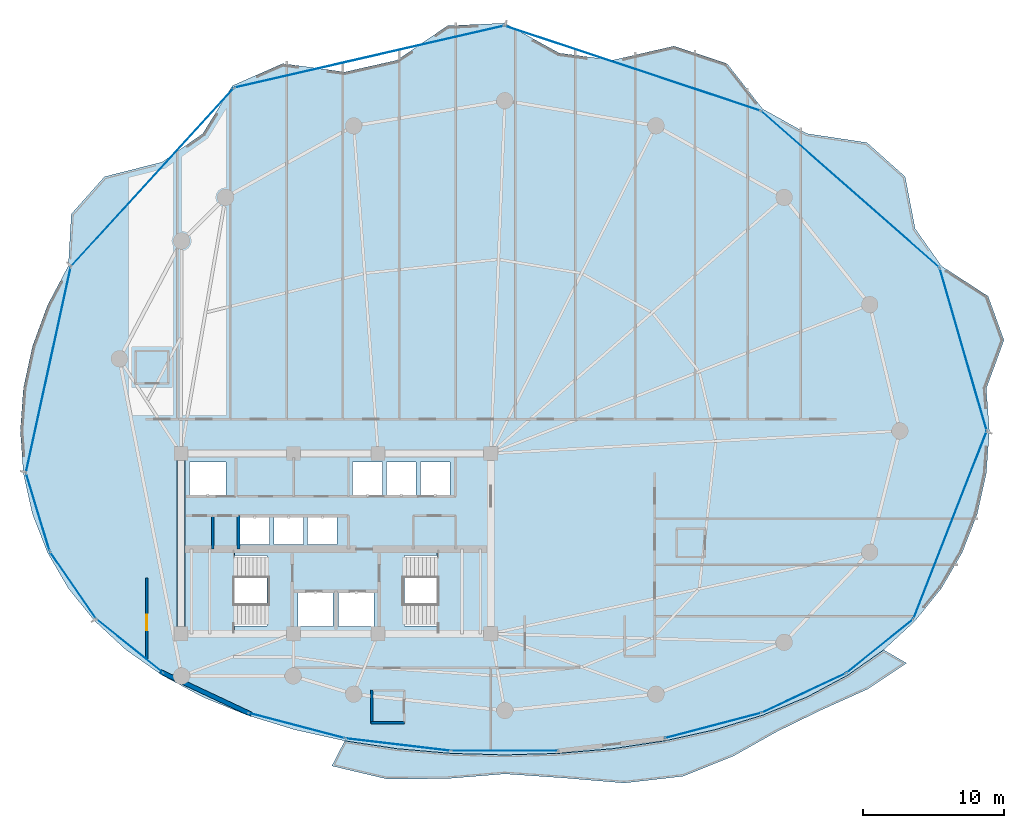
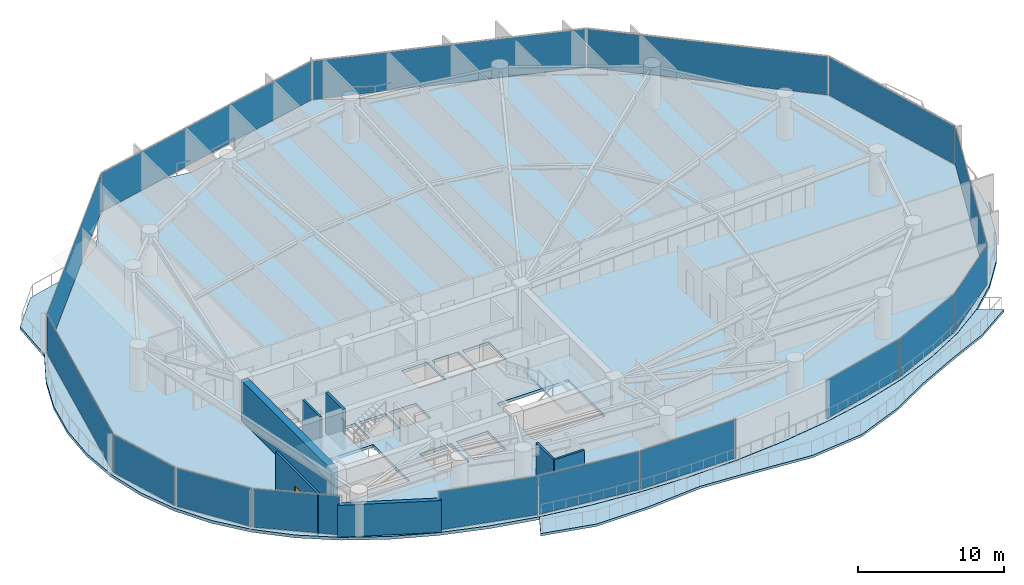
# One storey, part 25 of 34: 16 plates, 7 walls, 4 slabs, 1 door, 1 opening, 18 elements without a shape of their own.
"""IFC4 building model written with IfcOpenShell, lengths in metres."""

from ifc_helpers import new_model, si_unit, direction, frame, frame_2d, origin, origin_2d, place, context, subcontext, project, spatial, polyline, rectangle, outline, extrude, material, layer, layer_set, type_object, element, fill, aggregate, save


model = new_model("IFC4")

# Units and contexts
model_context = context("Model", 3, precision=1e-05, world=origin(), true_north=direction((0.0, 1.0)))
body_context = subcontext(model_context, "Body", "Model", "MODEL_VIEW")
ifc_project = project(units=[si_unit("LENGTHUNIT", "METRE"), si_unit("AREAUNIT", "SQUARE_METRE"), si_unit("VOLUMEUNIT", "CUBIC_METRE"), si_unit("PLANEANGLEUNIT", "RADIAN"), si_unit("MASSUNIT", "GRAM", prefix="KILO")], contexts=[model_context])

# Site, building, storey
site_placement = place(None, origin())
site = spatial("IfcSite", under=ifc_project, at=site_placement, CompositionType="ELEMENT")
building_placement = place(site_placement, origin())
building = spatial("IfcBuilding", under=site, at=building_placement, Name="Kazevale Care Tower and Concert Hall", CompositionType="ELEMENT")
storey_placement = place(building_placement, frame((0.0, 0.0, 167.39990234375)))
storey = spatial("IfcBuildingStorey", under=building, at=storey_placement, Name="L44", CompositionType="ELEMENT", Elevation=167.39990234375)

# Curtain wall, plate
ifc_material_1 = material(Name="Aluminium 6063-T6 and Low-E Glass", Category="aluminium")
ifc_layer_1 = layer(ifc_material_1, 0.179931640625)
ifc_layer_set_1 = layer_set([ifc_layer_1], Name="Aluminium 6063-T6 and Low-E Glass")
curtain_wall_type_1 = type_object("IfcCurtainWallType", Name="Convex Checkerboard Finned Curtain Wall CW-2", PredefinedType="NOTDEFINED", material=ifc_layer_set_1)
curtain_wall_1_placement = place(storey_placement, origin())
curtain_wall_1 = element("IfcCurtainWall", 1, at=curtain_wall_1_placement, inside=storey, type_object=curtain_wall_type_1, Name="cw:L44:f14", PredefinedType="NOTDEFINED")
ifc_material_2 = material(Name="Low-E Laminated Glass", Category="glass")
ifc_layer_2 = layer(ifc_material_2, 0.028076171875)
ifc_layer_set_2 = layer_set([ifc_layer_2], Name="Low-E Laminated Glass")
plate_type_1 = type_object("IfcPlateType", Name="CW-2 Low-E Glazing Panel 28mm", PredefinedType="CURTAIN_PANEL", material=ifc_layer_set_2)
plate_1_placement = place(storey_placement, frame((19.98388671875, 56.017578125, 0.0751953125), z_axis=(0.0, 0.0, 1.0), x_axis=(0.674262472751, 0.738491785899, 0.0)))
plate_1 = element("IfcPlate", 2, at=plate_1_placement, type_object=plate_type_1, Name="CW-2 panel 1.1", PredefinedType="CURTAIN_PANEL", context=body_context, shape_type="SweptSolid", body=[
    extrude(rectangle(XDim=17.0439453125, YDim=0.028076171875, at=origin_2d()), origin(), (0.0, 0.0, 1.0), 3.2099609375),
])
aggregate(curtain_wall_1, [plate_1])

curtain_wall_2_placement = place(storey_placement, origin())
curtain_wall_2 = element("IfcCurtainWall", 3, at=curtain_wall_2_placement, inside=storey, type_object=curtain_wall_type_1, Name="cw:L44:f16", PredefinedType="NOTDEFINED")
plate_2_placement = place(storey_placement, frame((54.070556640625, 63.7451171875, 0.0751953125), z_axis=(0.0, 0.0, 1.0), x_axis=(0.949135409507, -0.314868185785, 0.0)))
plate_2 = element("IfcPlate", 4, at=plate_2_placement, type_object=plate_type_1, Name="CW-2 panel 1.1", PredefinedType="CURTAIN_PANEL", context=body_context, shape_type="SweptSolid", body=[
    extrude(rectangle(XDim=19.041748046875, YDim=0.028076171875, at=origin_2d()), origin(), (0.0, 0.0, 1.0), 3.2099609375),
])
aggregate(curtain_wall_2, [plate_2])

ifc_layer_3 = layer(ifc_material_1, 0.179931640625)
ifc_layer_set_3 = layer_set([ifc_layer_3], Name="Aluminium 6063-T6 and Low-E Glass")
curtain_wall_type_2 = type_object("IfcCurtainWallType", Name="Convex Recessed Sunroom Curtain Wall CW-3", PredefinedType="NOTDEFINED", material=ifc_layer_set_3)
curtain_wall_3_placement = place(storey_placement, origin())
curtain_wall_3 = element("IfcCurtainWall", 5, at=curtain_wall_3_placement, inside=storey, type_object=curtain_wall_type_2, Name="cw:L44:f15", PredefinedType="NOTDEFINED")
ifc_layer_4 = layer(ifc_material_2, 0.028076171875)
ifc_layer_set_4 = layer_set([ifc_layer_4], Name="Low-E Laminated Glass")
plate_type_2 = type_object("IfcPlateType", Name="CW-3 Low-E Glazing Panel 28mm", PredefinedType="CURTAIN_PANEL", material=ifc_layer_set_4)
plate_3_placement = place(storey_placement, frame((35.37109375, 64.569091796875, 0.0751953125), z_axis=(0.0, 0.0, 1.0), x_axis=(0.974688488327, 0.223567329284, 0.0)))
plate_3 = element("IfcPlate", 6, at=plate_3_placement, type_object=plate_type_2, Name="CW-3 panel 1.1", PredefinedType="CURTAIN_PANEL", context=body_context, shape_type="SweptSolid", body=[
    extrude(rectangle(XDim=19.52197265625, YDim=0.028076171875, at=origin_2d()), origin(), (0.0, 0.0, 1.0), 3.2099609375),
])
aggregate(curtain_wall_3, [plate_3])

curtain_wall_4_placement = place(storey_placement, origin())
curtain_wall_4 = element("IfcCurtainWall", 7, at=curtain_wall_4_placement, inside=storey, type_object=curtain_wall_type_2, Name="cw:L44:f17", PredefinedType="NOTDEFINED")
plate_4_placement = place(storey_placement, frame((69.5244140625, 55.152587890625, 0.0751953125), z_axis=(0.0, 0.0, 1.0), x_axis=(0.751360700182, -0.659891732197, 0.0)))
plate_4 = element("IfcPlate", 8, at=plate_4_placement, type_object=plate_type_2, Name="CW-3 panel 1.1", PredefinedType="CURTAIN_PANEL", context=body_context, shape_type="SweptSolid", body=[
    extrude(rectangle(XDim=16.72998046875, YDim=0.028076171875, at=origin_2d()), origin(), (0.0, 0.0, 1.0), 3.2099609375),
])
aggregate(curtain_wall_4, [plate_4])

ifc_layer_5 = layer(ifc_material_1, 0.179931640625)
ifc_layer_set_5 = layer_set([ifc_layer_5], Name="Aluminium 6063-T6 and Low-E Glass")
curtain_wall_type_3 = type_object("IfcCurtainWallType", Name="Waist & Upper Residential Curtain Wall CW-4", PredefinedType="NOTDEFINED", material=ifc_layer_set_5)
curtain_wall_5_placement = place(storey_placement, origin())
curtain_wall_5 = element("IfcCurtainWall", 9, at=curtain_wall_5_placement, inside=storey, type_object=curtain_wall_type_3, Name="cw:L44:f01", PredefinedType="NOTDEFINED")
ifc_layer_6 = layer(ifc_material_2, 0.030029296875)
ifc_layer_set_6 = layer_set([ifc_layer_6], Name="Low-E Laminated Glass")
plate_type_3 = type_object("IfcPlateType", Name="CW-4 Low-E Glazing Panel 30mm", PredefinedType="CURTAIN_PANEL", material=ifc_layer_set_6)
plate_5_placement = place(storey_placement, frame((76.60791015625, 31.319091796875, 0.080078125), z_axis=(0.0, 0.0, 1.0), x_axis=(-0.36412075471, -0.931351746651, 0.0)))
plate_5 = element("IfcPlate", 10, at=plate_5_placement, type_object=plate_type_3, Name="CW-4 panel 1.1", PredefinedType="CURTAIN_PANEL", context=body_context, shape_type="SweptSolid", body=[
    extrude(rectangle(XDim=14.186767578125, YDim=0.030029296875, at=origin_2d()), origin(), (0.0, 0.0, 1.0), 3.199951171875),
])
aggregate(curtain_wall_5, [plate_5])

curtain_wall_6_placement = place(storey_placement, origin())
curtain_wall_6 = element("IfcCurtainWall", 11, at=curtain_wall_6_placement, inside=storey, type_object=curtain_wall_type_3, Name="cw:L44:f11", PredefinedType="NOTDEFINED")
plate_6_placement = place(storey_placement, frame((14.348388671875, 27.03955078125, 0.080078125), z_axis=(0.0, 0.0, 1.0), x_axis=(-0.567568708131, 0.823326035997, 0.0)))
plate_6 = element("IfcPlate", 12, at=plate_6_placement, type_object=plate_type_3, Name="CW-4 panel 1.1", PredefinedType="CURTAIN_PANEL", context=body_context, shape_type="SweptSolid", body=[
    extrude(rectangle(XDim=5.673583984375, YDim=0.030029296875, at=origin_2d()), origin(), (0.0, 0.0, 1.0), 3.199951171875),
])
aggregate(curtain_wall_6, [plate_6])

curtain_wall_7_placement = place(storey_placement, origin())
curtain_wall_7 = element("IfcCurtainWall", 13, at=curtain_wall_7_placement, inside=storey, type_object=curtain_wall_type_3, Name="cw:L44:f12", PredefinedType="NOTDEFINED")
plate_7_placement = place(storey_placement, frame((11.843994140625, 32.232421875, 0.080078125), z_axis=(0.0, 0.0, 1.0), x_axis=(-0.290977496961, 0.956729897234, 0.0)))
plate_7 = element("IfcPlate", 14, at=plate_7_placement, type_object=plate_type_3, Name="CW-4 panel 1.1", PredefinedType="CURTAIN_PANEL", context=body_context, shape_type="SweptSolid", body=[
    extrude(rectangle(XDim=5.675537109375, YDim=0.030029296875, at=origin_2d()), origin(), (0.0, 0.0, 1.0), 3.199951171875),
])
aggregate(curtain_wall_7, [plate_7])

curtain_wall_8_placement = place(storey_placement, origin())
curtain_wall_8 = element("IfcCurtainWall", 15, at=curtain_wall_8_placement, inside=storey, type_object=curtain_wall_type_3, Name="cw:L44:f13", PredefinedType="NOTDEFINED")
plate_8_placement = place(storey_placement, frame((12.589599609375, 42.344482421875, 0.080078125), z_axis=(0.0, 0.0, 1.0), x_axis=(0.21282305992, 0.977090755849, 0.0)))
plate_8 = element("IfcPlate", 16, at=plate_8_placement, type_object=plate_type_3, Name="CW-4 panel 1.1", PredefinedType="CURTAIN_PANEL", context=body_context, shape_type="SweptSolid", body=[
    extrude(rectangle(XDim=14.82421875, YDim=0.030029296875, at=origin_2d()), origin(), (0.0, 0.0, 1.0), 3.199951171875),
])
aggregate(curtain_wall_8, [plate_8])

curtain_wall_9_placement = place(storey_placement, origin())
curtain_wall_9 = element("IfcCurtainWall", 17, at=curtain_wall_9_placement, inside=storey, type_object=curtain_wall_type_3, Name="cw:L44:f18", PredefinedType="NOTDEFINED")
plate_9_placement = place(storey_placement, frame((77.54296875, 43.79150390625, 0.080078125), z_axis=(0.0, 0.0, 1.0), x_axis=(0.278136604418, -0.960541529182, 0.0)))
plate_9 = element("IfcPlate", 18, at=plate_9_placement, type_object=plate_type_3, Name="CW-4 panel 1.1", PredefinedType="CURTAIN_PANEL", context=body_context, shape_type="SweptSolid", body=[
    extrude(rectangle(XDim=11.89892578125, YDim=0.030029296875, at=origin_2d()), origin(), (0.0, 0.0, 1.0), 3.199951171875),
])
aggregate(curtain_wall_9, [plate_9])

ifc_layer_7 = layer(ifc_material_1, 0.179931640625)
ifc_layer_set_7 = layer_set([ifc_layer_7], Name="Aluminium 6063-T6 and Low-E Glass")
curtain_wall_type_4 = type_object("IfcCurtainWallType", Name="Sheltered Concave Balcony Curtain Wall CW-5", PredefinedType="NOTDEFINED", material=ifc_layer_set_7)
curtain_wall_10_placement = place(storey_placement, origin())
curtain_wall_10 = element("IfcCurtainWall", 19, at=curtain_wall_10_placement, inside=storey, type_object=curtain_wall_type_4, Name="cw:L44:f02", PredefinedType="NOTDEFINED")
ifc_layer_8 = layer(ifc_material_2, 0.02587890625)
ifc_layer_set_8 = layer_set([ifc_layer_8], Name="Low-E Laminated Glass")
plate_type_4 = type_object("IfcPlateType", Name="CW-5 Low-E Glazing Panel 26mm", PredefinedType="CURTAIN_PANEL", material=ifc_layer_set_8)
plate_10_placement = place(storey_placement, frame((71.613037109375, 22.720458984375, 0.0751953125), z_axis=(0.0, 0.0, 1.0), x_axis=(-0.779095419531, -0.626905357502, 0.0)))
plate_10 = element("IfcPlate", 20, at=plate_10_placement, type_object=plate_type_4, Name="CW-5 panel 1.1", PredefinedType="CURTAIN_PANEL", context=body_context, shape_type="SweptSolid", body=[
    extrude(rectangle(XDim=5.96728515625, YDim=0.02587890625, at=origin_2d()), origin(), (0.0, 0.0, 1.0), 3.2099609375),
])
aggregate(curtain_wall_10, [plate_10])

curtain_wall_11_placement = place(storey_placement, origin())
curtain_wall_11 = element("IfcCurtainWall", 21, at=curtain_wall_11_placement, inside=storey, type_object=curtain_wall_type_4, Name="cw:L44:f03", PredefinedType="NOTDEFINED")
plate_11_placement = place(storey_placement, frame((66.235595703125, 19.39697265625, 0.0751953125), z_axis=(0.0, 0.0, 1.0), x_axis=(-0.905188294205, -0.425010766963, 0.0)))
plate_11 = element("IfcPlate", 22, at=plate_11_placement, type_object=plate_type_4, Name="CW-5 panel 1.1", PredefinedType="CURTAIN_PANEL", context=body_context, shape_type="SweptSolid", body=[
    extrude(rectangle(XDim=6.46630859375, YDim=0.02587890625, at=origin_2d()), origin(), (0.0, 0.0, 1.0), 3.2099609375),
])
aggregate(curtain_wall_11, [plate_11])

curtain_wall_12_placement = place(storey_placement, origin())
curtain_wall_12 = element("IfcCurtainWall", 23, at=curtain_wall_12_placement, inside=storey, type_object=curtain_wall_type_4, Name="cw:L44:f04", PredefinedType="NOTDEFINED")
plate_12_placement = place(storey_placement, frame((59.784912109375, 17.08251953125, 0.0751953125), z_axis=(0.0, 0.0, 1.0), x_axis=(-0.967141564797, -0.254238458229, 0.0)))
plate_12 = element("IfcPlate", 24, at=plate_12_placement, type_object=plate_type_4, Name="CW-5 panel 1.1", PredefinedType="CURTAIN_PANEL", context=body_context, shape_type="SweptSolid", body=[
    extrude(rectangle(XDim=6.996826171875, YDim=0.02587890625, at=origin_2d()), origin(), (0.0, 0.0, 1.0), 3.2099609375),
])
aggregate(curtain_wall_12, [plate_12])

curtain_wall_13_placement = place(storey_placement, origin())
curtain_wall_13 = element("IfcCurtainWall", 25, at=curtain_wall_13_placement, inside=storey, type_object=curtain_wall_type_4, Name="cw:L44:f06", PredefinedType="NOTDEFINED")
plate_13_placement = place(storey_placement, frame((45.0, 15.2890625, 0.0751953125), z_axis=(0.0, 0.0, 1.0), x_axis=(-1.0, 0.0, 0.0)))
plate_13 = element("IfcPlate", 26, at=plate_13_placement, type_object=plate_type_4, Name="CW-5 panel 1.1", PredefinedType="CURTAIN_PANEL", context=body_context, shape_type="SweptSolid", body=[
    extrude(rectangle(XDim=7.531982421875, YDim=0.02587890625, at=origin_2d()), origin(), (0.0, 0.0, 1.0), 3.2099609375),
])
aggregate(curtain_wall_13, [plate_13])

curtain_wall_14_placement = place(storey_placement, origin())
curtain_wall_14 = element("IfcCurtainWall", 27, at=curtain_wall_14_placement, inside=storey, type_object=curtain_wall_type_4, Name="cw:L44:f07", PredefinedType="NOTDEFINED")
plate_14_placement = place(storey_placement, frame((37.4150390625, 15.7314453125, 0.0751953125), z_axis=(0.0, 0.0, 1.0), x_axis=(-0.993087997884, 0.117372179238, 0.0)))
plate_14 = element("IfcPlate", 28, at=plate_14_placement, type_object=plate_type_4, Name="CW-5 panel 1.1", PredefinedType="CURTAIN_PANEL", context=body_context, shape_type="SweptSolid", body=[
    extrude(rectangle(XDim=7.39013671875, YDim=0.02587890625, at=origin_2d()), origin(), (0.0, 0.0, 1.0), 3.2099609375),
])
aggregate(curtain_wall_14, [plate_14])

curtain_wall_15_placement = place(storey_placement, origin())
curtain_wall_15 = element("IfcCurtainWall", 29, at=curtain_wall_15_placement, inside=storey, type_object=curtain_wall_type_4, Name="cw:L44:f08", PredefinedType="NOTDEFINED")
plate_15_placement = place(storey_placement, frame((30.215087890625, 17.08251953125, 0.0751953125), z_axis=(0.0, 0.0, 1.0), x_axis=(-0.967141564797, 0.254238458229, 0.0)))
plate_15 = element("IfcPlate", 30, at=plate_15_placement, type_object=plate_type_4, Name="CW-5 panel 1.1", PredefinedType="CURTAIN_PANEL", context=body_context, shape_type="SweptSolid", body=[
    extrude(rectangle(XDim=6.996826171875, YDim=0.02587890625, at=origin_2d()), origin(), (0.0, 0.0, 1.0), 3.2099609375),
])
aggregate(curtain_wall_15, [plate_15])

curtain_wall_16_placement = place(storey_placement, origin())
curtain_wall_16 = element("IfcCurtainWall", 31, at=curtain_wall_16_placement, inside=storey, type_object=curtain_wall_type_4, Name="cw:L44:f10", PredefinedType="NOTDEFINED")
plate_16_placement = place(storey_placement, frame((18.386962890625, 22.720458984375, 0.0751953125), z_axis=(0.0, 0.0, 1.0), x_axis=(-0.779095419531, 0.626905357502, 0.0)))
plate_16 = element("IfcPlate", 32, at=plate_16_placement, type_object=plate_type_4, Name="CW-5 panel 1.1", PredefinedType="CURTAIN_PANEL", context=body_context, shape_type="SweptSolid", body=[
    extrude(rectangle(XDim=5.96728515625, YDim=0.02587890625, at=origin_2d()), origin(), (0.0, 0.0, 1.0), 3.2099609375),
])
aggregate(curtain_wall_16, [plate_16])

# Slab
ifc_material_3 = material(Name="Concrete C40", Category="concrete")
ifc_layer_9 = layer(ifc_material_3, 0.199951171875)
ifc_layer_set_9 = layer_set([ifc_layer_9], Name="Concrete C40")
slab_type_1 = type_object("IfcSlabType", Name="Sinusoidal Concave Balcony Slab 200", PredefinedType="USERDEFINED", material=ifc_layer_set_9)
slab_1_placement = place(storey_placement, frame((0.0, 0.0, -0.199951171875)))
element("IfcSlab", 33, at=slab_1_placement, inside=storey, type_object=slab_type_1, Name="slab:L44:bal", ObjectType="BALCONY", PredefinedType="USERDEFINED", context=body_context, shape_type="SweptSolid", body=[
    extrude(outline(polyline([(73.522216796875, 21.512451171875), (70.720947265625, 19.653076171875), (67.47998046875, 18.197509765625), (64.346435546875, 16.669921875), (61.23779296875, 14.92333984375), (57.65966796875, 13.4833984375), (53.48193359375, 13.00244140625), (49.14501953125, 13.365234375), (45.0, 13.6494140625), (40.845947265625, 13.312255859375), (36.615966796875, 13.291259765625), (32.716796875, 14.212890625), (33.635986328125, 15.992919921875), (33.637451171875, 15.992431640625), (37.3447265625, 15.435546875), (41.148193359375, 15.104736328125), (45.0, 14.9951171875), (48.851806640625, 15.104736328125), (52.6552734375, 15.435546875), (56.362548828125, 15.992431640625), (59.927001953125, 16.783447265625), (63.3037109375, 17.81689453125), (66.4501953125, 19.101806640625), (69.3271484375, 20.64501953125), (71.898193359375, 22.44921875), (71.899658203125, 22.450439453125), (73.522216796875, 21.512451171875)])), origin(), (0.0, 0.0, 1.0), 0.199951171875),
])

# Stair, slab
stair_type = type_object("IfcStairType", Name="Exit Stair Assembly ST1-Z2", PredefinedType="HALF_TURN_STAIR", material=ifc_material_3)
stair_1_placement = place(storey_placement, origin())
stair_1 = element("IfcStair", 34, at=stair_1_placement, inside=storey, type_object=stair_type, Name="stair:L44:ST1", PredefinedType="HALF_TURN_STAIR")
ifc_layer_10 = layer(ifc_material_3, 0.199951171875)
ifc_layer_set_10 = layer_set([ifc_layer_10], Name="Concrete C40")
slab_type_2 = type_object("IfcSlabType", Name="Stair Half-Landing Slab ST1-Z2", PredefinedType="LANDING", material=ifc_layer_set_10)
slab_2_placement = place(storey_placement, frame((0.0, 0.0, 1.60009765625)))
slab_2 = element("IfcSlab", 35, at=slab_2_placement, type_object=slab_type_2, Name="ST1-Z2 landing 1", PredefinedType="LANDING", context=body_context, shape_type="SweptSolid", body=[
    extrude(outline(polyline([(22.050048828125, 23.699951171875), (25.81005859375, 23.699951171875), (25.81005859375, 29.5), (22.050048828125, 29.5), (22.050048828125, 23.699951171875)])), origin(), (0.0, 0.0, 1.0), 0.199951171875),
])
aggregate(stair_1, [slab_2])

stair_2_placement = place(storey_placement, origin())
stair_2 = element("IfcStair", 36, at=stair_2_placement, inside=storey, type_object=stair_type, Name="stair:L44:ST2", PredefinedType="HALF_TURN_STAIR")
slab_3_placement = place(storey_placement, frame((0.0, 0.0, 1.60009765625)))
slab_3 = element("IfcSlab", 37, at=slab_3_placement, type_object=slab_type_2, Name="ST1-Z2 landing 1", PredefinedType="LANDING", context=body_context, shape_type="SweptSolid", body=[
    extrude(outline(polyline([(40.18994140625, 23.699951171875), (43.949951171875, 23.699951171875), (43.949951171875, 29.5), (40.18994140625, 29.5), (40.18994140625, 23.699951171875)])), origin(), (0.0, 0.0, 1.0), 0.199951171875),
])
aggregate(stair_2, [slab_3])

# Slab
ifc_layer_11 = layer(ifc_material_3, 0.239990234375)
ifc_layer_set_11 = layer_set([ifc_layer_11], Name="Concrete C40")
slab_type_3 = type_object("IfcSlabType", Name="Tower Typical Floor Slab 240", PredefinedType="FLOOR", material=ifc_layer_set_11)
slab_4_placement = place(storey_placement, frame((0.0, 0.0, -0.239990234375)))
element("IfcSlab", 38, at=slab_4_placement, inside=storey, type_object=slab_type_3, Name="slab:L44:tw:1", PredefinedType="FLOOR", context=body_context, shape_type="SweptSolid", body=[
    extrude(outline(polyline([(79.39990234375, 38.0), (79.18359375, 41.02294921875), (80.438720703125, 44.44189453125), (79.310302734375, 47.5615234375), (75.993408203125, 49.71484375), (74.127197265625, 52.364990234375), (73.419677734375, 56.050048828125), (70.703369140625, 58.470703125), (66.447998046875, 59.109619140625), (63.302001953125, 60.861572265625), (60.771728515625, 64.0830078125), (57.005615234375, 65.325439453125), (52.65478515625, 64.322998046875), (48.8515625, 64.830078125), (45.0, 66.949951171875), (40.93017578125, 66.76806640625), (37.34521484375, 64.322998046875), (33.638427734375, 63.48486328125), (29.228271484375, 64.0830078125), (25.66064453125, 62.5126953125), (23.552001953125, 59.109619140625), (20.675537109375, 57.091796875), (16.580322265625, 56.050048828125), (14.2216796875, 53.40234375), (14.006591796875, 49.71484375), (12.530517578125, 46.91748046875), (11.46240234375, 44.008056640625), (10.81640625, 41.02294921875), (10.60009765625, 38.0), (10.81640625, 34.997802734375), (11.46240234375, 32.1005859375), (12.530517578125, 29.362548828125), (14.006591796875, 26.82421875), (15.872802734375, 24.514892578125), (18.10498046875, 22.452880859375), (20.675537109375, 20.649169921875), (23.552001953125, 19.1064453125), (26.697998046875, 17.821533203125), (30.074462890625, 16.7880859375), (33.638427734375, 15.997314453125), (37.34521484375, 15.4404296875), (41.1484375, 15.109619140625), (45.0, 15.0), (48.8515625, 15.109619140625), (52.65478515625, 15.4404296875), (56.361572265625, 15.997314453125), (59.925537109375, 16.7880859375), (63.302001953125, 17.821533203125), (66.447998046875, 19.1064453125), (69.324462890625, 20.649169921875), (71.89501953125, 22.452880859375), (74.127197265625, 24.514892578125), (75.993408203125, 26.82421875), (77.469482421875, 29.362548828125), (78.53759765625, 32.1005859375), (79.18359375, 34.997802734375), (79.39990234375, 38.0)]), holes=[polyline([(22.449951171875, 24.14990234375), (28.110107421875, 24.14990234375), (28.110107421875, 29.14990234375), (22.449951171875, 29.14990234375), (22.449951171875, 24.14990234375)]), polyline([(37.889892578125, 24.14990234375), (43.550048828125, 24.14990234375), (43.550048828125, 29.14990234375), (37.889892578125, 29.14990234375), (37.889892578125, 24.14990234375)]), polyline([(30.300048828125, 24.10009765625), (32.800048828125, 24.10009765625), (32.800048828125, 26.60009765625), (30.300048828125, 26.60009765625), (30.300048828125, 24.10009765625)]), polyline([(33.199951171875, 24.10009765625), (35.699951171875, 24.10009765625), (35.699951171875, 26.60009765625), (33.199951171875, 26.60009765625), (33.199951171875, 24.10009765625)]), polyline([(22.60009765625, 33.39990234375), (25.199951171875, 33.39990234375), (25.199951171875, 35.800048828125), (22.60009765625, 35.800048828125), (22.60009765625, 33.39990234375)]), polyline([(34.199951171875, 33.39990234375), (36.300048828125, 33.39990234375), (36.300048828125, 35.800048828125), (34.199951171875, 35.800048828125), (34.199951171875, 33.39990234375)]), polyline([(36.60009765625, 33.39990234375), (38.699951171875, 33.39990234375), (38.699951171875, 35.800048828125), (36.60009765625, 35.800048828125), (36.60009765625, 33.39990234375)]), polyline([(39.0, 33.39990234375), (41.10009765625, 33.39990234375), (41.10009765625, 35.800048828125), (39.0, 35.800048828125), (39.0, 33.39990234375)]), polyline([(26.199951171875, 29.949951171875), (28.300048828125, 29.949951171875), (28.300048828125, 31.949951171875), (26.199951171875, 31.949951171875), (26.199951171875, 29.949951171875)]), polyline([(28.60009765625, 29.949951171875), (30.699951171875, 29.949951171875), (30.699951171875, 31.949951171875), (28.60009765625, 31.949951171875), (28.60009765625, 29.949951171875)]), polyline([(31.0, 29.949951171875), (33.10009765625, 29.949951171875), (33.10009765625, 31.949951171875), (31.0, 31.949951171875), (31.0, 29.949951171875)])]), origin(), (0.0, 0.0, 1.0), 0.239990234375),
])

# Walls
ifc_material_4 = material(Name="Concrete C60", Category="concrete")
ifc_layer_12 = layer(ifc_material_4, 0.550048828125)
ifc_layer_set_12 = layer_set([ifc_layer_12], Name="Concrete C60")
wall_type_1 = type_object("IfcWallType", Name="Core Shear Wall 550 C60", PredefinedType="SHEAR", material=ifc_layer_set_12)
wall_1_placement = place(storey_placement, frame((22.0, 23.875, 0.0), z_axis=(0.0, 0.0, 1.0), x_axis=(0.0, 1.0, 0.0)))
element("IfcWall", 39, at=wall_1_placement, inside=storey, type_object=wall_type_1, Name="wall:L44:core:W", PredefinedType="SHEAR", context=body_context, shape_type="SweptSolid", body=[
    extrude(rectangle(XDim=12.25, YDim=0.550048828125, at=frame_2d((6.125, 0.0))), origin(), (0.0, 0.0, 1.0), 3.360107421875),
])
ifc_layer_13 = layer(ifc_material_3, 0.219970703125)
ifc_layer_set_13 = layer_set([ifc_layer_13], Name="Concrete C40")
wall_type_2 = type_object("IfcWallType", Name="Elevator Hoistway Shaft Wall 220", PredefinedType="SOLIDWALL", material=ifc_layer_set_13)
wall_2_placement = place(storey_placement, frame((26.10009765625, 29.6201171875, 0.0), z_axis=(0.0, 0.0, 1.0), x_axis=(0.0, 1.0, 0.0)))
element("IfcWall", 40, at=wall_2_placement, inside=storey, type_object=wall_type_2, Name="wall:L44:c_ph_w", PredefinedType="SOLIDWALL", context=body_context, shape_type="SweptSolid", body=[
    extrude(rectangle(XDim=2.35986328125, YDim=0.219970703125, at=frame_2d((1.179931640625, 0.0))), origin(), (0.0, 0.0, 1.0), 3.360107421875),
])

# Wall, opening, door
ifc_material_5 = material(Name="Concrete C40 and Acoustic Gypsum", Category="concrete")
ifc_layer_14 = layer(ifc_material_5, 0.179931640625)
ifc_layer_set_14 = layer_set([ifc_layer_14], Name="Concrete C40 and Acoustic Gypsum")
wall_type_3 = type_object("IfcWallType", Name="Fire-Rated Corridor & Party Wall 180", PredefinedType="PARTITIONING", material=ifc_layer_set_14)
wall_3_placement = place(storey_placement, frame((19.574951171875, 21.774658203125, 0.0), z_axis=(0.0, 0.0, 1.0), x_axis=(0.0, 1.0, 0.0)))
wall_3 = element("IfcWall", 41, at=wall_3_placement, inside=storey, type_object=wall_type_3, Name="wall:L44:auto_023", PredefinedType="PARTITIONING", context=body_context, shape_type="SweptSolid", body=[
    extrude(rectangle(XDim=5.790283203125, YDim=0.179931640625, at=frame_2d((2.89501953125, 0.0))), origin(), (0.0, 0.0, 1.0), 3.360107421875),
])
opening_placement = place(wall_3_placement, frame((2.087890625, 0.0, 0.0)))
opening = element("IfcOpeningElement", 42, at=opening_placement, cuts=wall_3, Name="Opening ID-1100", PredefinedType="OPENING", context=body_context, shape_type="SweptSolid", body=[
    extrude(rectangle(XDim=1.10009765625, YDim=2.10009765625, at=frame_2d((0.550048828125, 1.050048828125))), frame((0.0, 0.099853515625, 0.0), z_axis=(0.0, -1.0, 0.0), x_axis=(1.0, 0.0, 0.0)), (0.0, 0.0, 1.0), 0.199951171875),
])
ifc_material_6 = material(Name="Oak Timber Fire Leaf", Category="wood")
door_type = type_object("IfcDoorType", Name="Care Bedroom Accessible Door 1100x2100", OperationType="NOTDEFINED", PredefinedType="DOOR", material=ifc_material_6)
door_placement = place(opening_placement, origin())
door = element("IfcDoor", 43, at=door_placement, inside=storey, type_object=door_type, Name="door:L44:ad_023", OperationType="SINGLE_SWING_LEFT", OverallHeight=2.10009765625, OverallWidth=1.10009765625, PredefinedType="DOOR", context=body_context, shape_type="SweptSolid", body=[
    extrude(rectangle(XDim=1.10009765625, YDim=2.10009765625, at=frame_2d((0.550048828125, 1.050048828125))), frame((0.0, 0.02490234375, 0.0), z_axis=(0.0, -1.0, 0.0), x_axis=(1.0, 0.0, 0.0)), (0.0, 0.0, 1.0), 0.050048828125),
])
fill(opening, door)

# Walls
ifc_material_7 = material(Name="Acoustic Gypsum on Steel Stud", Category="steel")
ifc_layer_15 = layer(ifc_material_7, 0.159912109375)
ifc_layer_set_15 = layer_set([ifc_layer_15], Name="Acoustic Gypsum on Steel Stud")
wall_type_4 = type_object("IfcWallType", Name="Moisture-Resistant Bathroom Plumbing Wall 160", PredefinedType="PLUMBINGWALL", material=ifc_layer_set_15)
wall_4_placement = place(storey_placement, frame((24.260009765625, 29.6201171875, 0.0), z_axis=(0.0, 0.0, 1.0), x_axis=(0.0, 1.0, 0.0)))
element("IfcWall", 44, at=wall_4_placement, inside=storey, type_object=wall_type_4, Name="wall:L44:kb_we1", PredefinedType="PLUMBINGWALL", context=body_context, shape_type="SweptSolid", body=[
    extrude(rectangle(XDim=2.35986328125, YDim=0.159912109375, at=frame_2d((1.179931640625, 0.0))), origin(), (0.0, 0.0, 1.0), 3.360107421875),
])
wall_5_placement = place(storey_placement, frame((35.510009765625, 17.27392578125, 0.0), z_axis=(0.0, 0.0, 1.0), x_axis=(1.0, 0.0, 0.0)))
element("IfcWall", 45, at=wall_5_placement, inside=storey, type_object=wall_type_4, Name="wall:L44:sb2_ens_ws", PredefinedType="PLUMBINGWALL", context=body_context, shape_type="SweptSolid", body=[
    extrude(rectangle(XDim=2.3798828125, YDim=0.159912109375, at=frame_2d((1.18994140625, 0.0))), origin(), (0.0, 0.0, 1.0), 3.360107421875),
])
wall_6_placement = place(storey_placement, frame((35.550048828125, 17.23388671875, 0.0), z_axis=(0.0, 0.0, 1.0), x_axis=(0.0, 1.0, 0.0)))
element("IfcWall", 46, at=wall_6_placement, inside=storey, type_object=wall_type_4, Name="wall:L44:sb2_ens_ww", PredefinedType="PLUMBINGWALL", context=body_context, shape_type="SweptSolid", body=[
    extrude(rectangle(XDim=2.380126953125, YDim=0.159912109375, at=frame_2d((1.18994140625, 0.0))), origin(), (0.0, 0.0, 1.0), 3.360107421875),
])
ifc_material_8 = material(Name="Concrete C40 with Honed Limestone Cladding", Category="masonry")
ifc_layer_16 = layer(ifc_material_8, 0.320068359375)
ifc_layer_set_16 = layer_set([ifc_layer_16], Name="Concrete C40 with Honed Limestone Cladding")
wall_type_5 = type_object("IfcWallType", Name="Tower Honed Limestone Spandrel Wall 320", PredefinedType="STANDARD", material=ifc_layer_set_16)
wall_7_placement = place(storey_placement, frame((26.993896484375, 17.8798828125, 0.0), z_axis=(0.0, 0.0, 1.0), x_axis=(-0.905106920297, 0.425184034073, 0.0)))
element("IfcWall", 47, at=wall_7_placement, inside=storey, type_object=wall_type_5, Name="wall:cw:L44:f09", PredefinedType="STANDARD", context=body_context, shape_type="SweptSolid", body=[
    extrude(rectangle(XDim=7.13623046875, YDim=0.320068359375, at=frame_2d((3.568115234375, 0.0))), origin(), (0.0, 0.0, 1.0), 2.656982421875),
])

save(model, "model.ifc")
